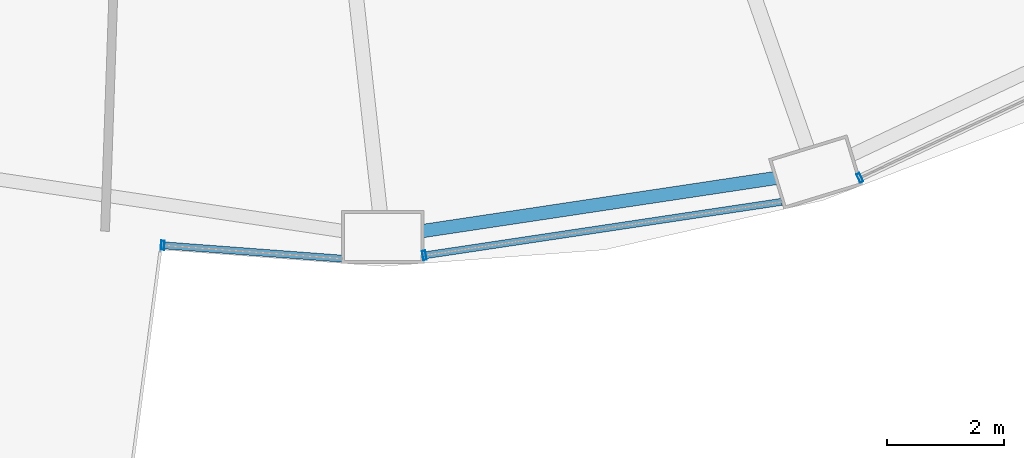
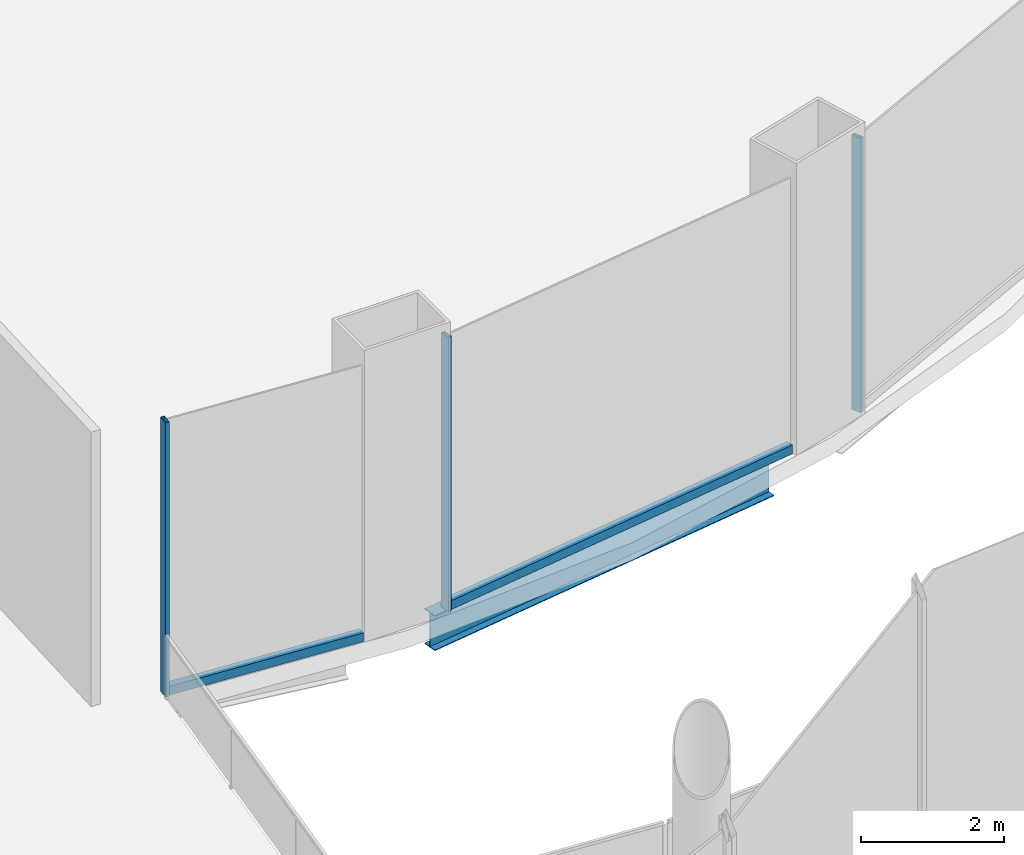
# One storey, part 9 of 48: 5 members, 1 beam, 3 elements without a shape of their own.
"""IFC4 building model written with IfcOpenShell, lengths in metres."""

from ifc_helpers import new_model, si_unit, direction, frame, origin, origin_2d, place, context, subcontext, project, spatial, hollow_rectangle, i_section, extrude, material, layer, layer_set, material_profile, profile_set, type_object, element, aggregate, save


model = new_model("IFC4")

# Units and contexts
model_context = context("Model", 3, precision=1e-05, world=origin(), true_north=direction((0.0, 1.0)))
body_context = subcontext(model_context, "Body", "Model", "MODEL_VIEW")
ifc_project = project(units=[si_unit("LENGTHUNIT", "METRE"), si_unit("AREAUNIT", "SQUARE_METRE"), si_unit("VOLUMEUNIT", "CUBIC_METRE"), si_unit("PLANEANGLEUNIT", "RADIAN"), si_unit("MASSUNIT", "GRAM", prefix="KILO")], contexts=[model_context])

# Site, building, storey
site_placement = place(None, origin())
site = spatial("IfcSite", under=ifc_project, at=site_placement, CompositionType="ELEMENT")
building_placement = place(site_placement, origin())
building = spatial("IfcBuilding", under=site, at=building_placement, Name="Nagisa Residences", CompositionType="ELEMENT")
storey_placement = place(building_placement, frame((0.0, 0.0, 12.0)))
storey = spatial("IfcBuildingStorey", under=building, at=storey_placement, Name="L02", CompositionType="ELEMENT", Elevation=12.0)

# Curtain wall, member
ifc_material_1 = material(Name="Stainless steel curtain wall system", Category="steel")
ifc_layer = layer(ifc_material_1, 0.159912109375)
ifc_layer_set = layer_set([ifc_layer], Name="CW6 CURTAIN WALL")
curtain_wall_type = type_object("IfcCurtainWallType", Name="CW6 CURTAIN WALL", PredefinedType="NOTDEFINED", material=ifc_layer_set)
curtain_wall_1_placement = place(storey_placement, origin())
curtain_wall_1 = element("IfcCurtainWall", 1, at=curtain_wall_1_placement, inside=storey, type_object=curtain_wall_type, Name="cw:CW6:L02:35", PredefinedType="NOTDEFINED")
ifc_material_2 = material(Name="Stainless steel", Category="steel")
ifc_material_profile_1 = material_profile(ifc_material_2, hollow_rectangle(XDim=0.159912109375, YDim=0.06005859375, WallThickness=0.006103515625, at=origin_2d()), Name="CW6 MULLION 160x60")
ifc_profile_set_1 = profile_set([ifc_material_profile_1], Name="Stainless steel")
member_type_1 = type_object("IfcMemberType", Name="CW6 MULLION 160x60", PredefinedType="MULLION", material=ifc_profile_set_1)
member_1_placement = place(storey_placement, frame((-0.1494140625, -32.64013671875, 0.0), z_axis=(0.0, 0.0, 1.0), x_axis=(0.074377355493, 0.997230168512, 0.0)))
member_1 = element("IfcMember", 2, at=member_1_placement, type_object=member_type_1, Name="CW6 mullion", PredefinedType="MULLION", context=body_context, shape_type="SweptSolid", body=[
    extrude(hollow_rectangle(XDim=0.159912109375, YDim=0.06005859375, WallThickness=0.006103515625, at=origin_2d()), origin(), (0.0, 0.0, 1.0), 4.699951171875),
])

curtain_wall_2_placement = place(storey_placement, origin())
curtain_wall_2 = element("IfcCurtainWall", 3, at=curtain_wall_2_placement, inside=storey, type_object=curtain_wall_type, Name="cw:CW6:L02:36", PredefinedType="NOTDEFINED")
member_2_placement = place(storey_placement, frame((4.31005859375, -32.812744140625, 0.0), z_axis=(0.0, 0.0, 1.0), x_axis=(-0.148158096894, 0.988963689083, 0.0)))
member_2 = element("IfcMember", 4, at=member_2_placement, type_object=member_type_1, Name="CW6 mullion", PredefinedType="MULLION", context=body_context, shape_type="SweptSolid", body=[
    extrude(hollow_rectangle(XDim=0.159912109375, YDim=0.06005859375, WallThickness=0.006103515625, at=origin_2d()), origin(), (0.0, 0.0, 1.0), 4.699951171875),
])

curtain_wall_3_placement = place(storey_placement, origin())
curtain_wall_3 = element("IfcCurtainWall", 5, at=curtain_wall_3_placement, inside=storey, type_object=curtain_wall_type, Name="cw:CW6:L02:38", PredefinedType="NOTDEFINED")
member_3_placement = place(storey_placement, frame((11.73193359375, -31.491943359375, 0.0), z_axis=(0.0, 0.0, 1.0), x_axis=(-0.426358467603, 0.904554286432, 0.0)))
member_3 = element("IfcMember", 6, at=member_3_placement, type_object=member_type_1, Name="CW6 mullion", PredefinedType="MULLION", context=body_context, shape_type="SweptSolid", body=[
    extrude(hollow_rectangle(XDim=0.159912109375, YDim=0.06005859375, WallThickness=0.006103515625, at=origin_2d()), origin(), (0.0, 0.0, 1.0), 4.699951171875),
])
aggregate(curtain_wall_3, [member_3])

# Member
ifc_material_3 = material(Name="Stainless steel", Category="steel")
ifc_material_profile_2 = material_profile(ifc_material_3, hollow_rectangle(XDim=0.1201171875, YDim=0.14990234375, WallThickness=0.008056640625, at=origin_2d()), Name="CW6 TRANSOM 120x150")
ifc_profile_set_2 = profile_set([ifc_material_profile_2], Name="Stainless steel")
member_type_2 = type_object("IfcMemberType", Name="CW6 TRANSOM 120x150", PredefinedType="USERDEFINED", material=ifc_profile_set_2)
member_4_placement = place(storey_placement, frame((-0.17919921875, -32.637939453125, 0.074951171875), z_axis=(0.997230834878, -0.074368420505, 0.0), x_axis=(0.074368420505, 0.997230834878, 0.0)))
member_4 = element("IfcMember", 7, at=member_4_placement, type_object=member_type_2, Name="CW6 transom", ObjectType="TRANSOM", PredefinedType="USERDEFINED", context=body_context, shape_type="SweptSolid", body=[
    extrude(hollow_rectangle(XDim=0.1201171875, YDim=0.14990234375, WallThickness=0.008056640625, at=origin_2d()), origin(), (0.0, 0.0, 1.0), 3.095703125),
])

aggregate(curtain_wall_1, [member_1, member_4])

member_5_placement = place(storey_placement, frame((4.280517578125, -32.817138671875, 0.074951171875), z_axis=(0.988964110959, 0.148155280822, 0.0), x_axis=(-0.148155280822, 0.988964110959, 0.0)))
member_5 = element("IfcMember", 8, at=member_5_placement, type_object=member_type_2, Name="CW6 transom", ObjectType="TRANSOM", PredefinedType="USERDEFINED", context=body_context, shape_type="SweptSolid", body=[
    extrude(hollow_rectangle(XDim=0.1201171875, YDim=0.14990234375, WallThickness=0.008056640625, at=origin_2d()), origin(), (0.0, 0.0, 1.0), 6.189453125),
])

aggregate(curtain_wall_2, [member_2, member_5])

# Beam
ifc_material_4 = material(Name="Steel ASTM A572 Gr 50", Category="steel")
ifc_material_profile_3 = material_profile(ifc_material_4, i_section(OverallWidth=0.22802734375, OverallDepth=0.60302734375, WebThickness=0.010498046875, FlangeThickness=0.014892578125, at=origin_2d()), Name="W610x101")
ifc_profile_set_3 = profile_set([ifc_material_profile_3], Name="Steel ASTM A572 Gr 50")
beam_type = type_object("IfcBeamType", Name="Perimeter ring beam W610x101", PredefinedType="BEAM", material=ifc_profile_set_3)
beam_placement = place(storey_placement, frame((4.2802734375, -32.39794921875, -0.6015625), z_axis=(0.988914559467, 0.14848566959, 0.0), x_axis=(-0.14848566959, 0.988914559467, 0.0)))
element("IfcBeam", 9, at=beam_placement, inside=storey, type_object=beam_type, Name="beam:L02:pb19", PredefinedType="BEAM", context=body_context, shape_type="SweptSolid", body=[
    extrude(i_section(OverallWidth=0.22802734375, OverallDepth=0.60302734375, WebThickness=0.010498046875, FlangeThickness=0.014892578125, at=origin_2d()), origin(), (0.0, 0.0, 1.0), 6.08349609375),
])

save(model, "model.ifc")
